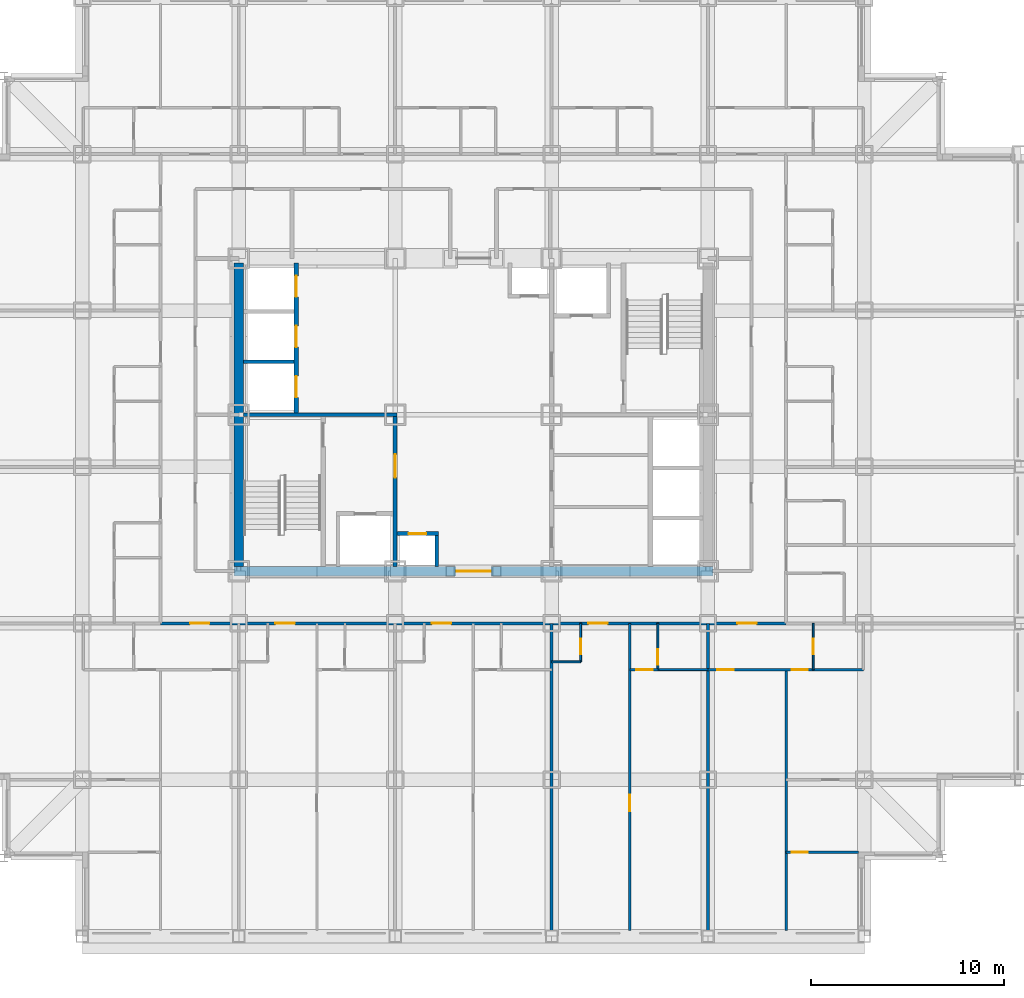
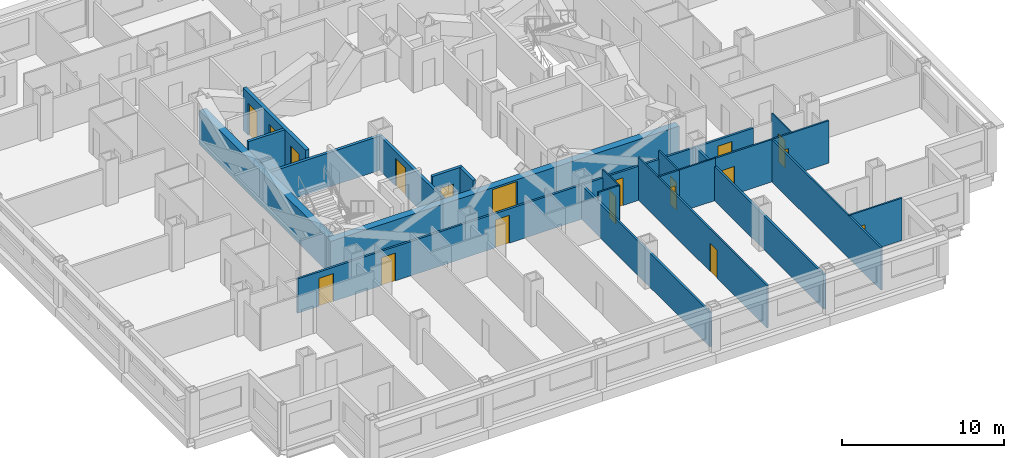
# One storey, part 6 of 12: 21 walls, 19 doors, 19 openings.
"""IFC4 building model written with IfcOpenShell, lengths in metres."""

from ifc_helpers import new_model, si_unit, direction, frame, frame_2d, origin, place, context, subcontext, project, spatial, rectangle, extrude, material, layer, layer_set, type_object, element, fill, save


model = new_model("IFC4")

# Units and contexts
model_context = context("Model", 3, precision=1e-05, world=origin(), true_north=direction((0.0, 1.0)))
body_context = subcontext(model_context, "Body", "Model", "MODEL_VIEW")
ifc_project = project(units=[si_unit("LENGTHUNIT", "METRE"), si_unit("AREAUNIT", "SQUARE_METRE"), si_unit("VOLUMEUNIT", "CUBIC_METRE"), si_unit("PLANEANGLEUNIT", "RADIAN"), si_unit("MASSUNIT", "GRAM", prefix="KILO")], contexts=[model_context])

# Site, building, storey
site_placement = place(None, origin())
site = spatial("IfcSite", under=ifc_project, at=site_placement, CompositionType="ELEMENT")
building_placement = place(site_placement, origin())
building = spatial("IfcBuilding", under=site, at=building_placement, Name="Kopane Lantern Tower", CompositionType="ELEMENT")
storey_placement = place(building_placement, frame((0.0, 0.0, 103.39990234375)))
storey = spatial("IfcBuildingStorey", under=building, at=storey_placement, Name="L25", CompositionType="ELEMENT", Elevation=103.39990234375)

# Wall, opening, door
ifc_material_1 = material(Name="Gypsum board on steel studs", Category="steel")
ifc_layer_1 = layer(ifc_material_1, 0.1201171875)
ifc_layer_set_1 = layer_set([ifc_layer_1], Name="APARTMENT INTERNAL WALL 120")
wall_type_1 = type_object("IfcWallType", Name="APARTMENT INTERNAL WALL 120", PredefinedType="PARTITIONING", material=ifc_layer_set_1)
wall_1_placement = place(storey_placement, frame((36.449951171875, 21.60009765625, 0.0), z_axis=(0.0, 0.0, 1.0), x_axis=(0.0, -1.0, 0.0)))
wall_1 = element("IfcWall", 1, at=wall_1_placement, inside=storey, type_object=wall_type_1, Name="Apartment Internal Wall 120 L25", PredefinedType="PARTITIONING", context=body_context, shape_type="SweptSolid", body=[
    extrude(rectangle(XDim=15.900146484375, YDim=0.1201171875, at=frame_2d((7.9501953125, 0.0))), origin(), (0.0, 0.0, 1.0), 3.190185546875),
])
opening_1_placement = place(wall_1_placement, frame((8.875, 0.0, 0.0)))
opening_1 = element("IfcOpeningElement", 2, at=opening_1_placement, cuts=wall_1, Name="Opening L25-020", PredefinedType="OPENING", context=body_context, shape_type="SweptSolid", body=[
    extrude(rectangle(XDim=0.85009765625, YDim=2.10009765625, at=frame_2d((0.425048828125, 1.050048828125))), frame((0.0, 0.070068359375, 0.0), z_axis=(0.0, -1.0, 0.0), x_axis=(1.0, 0.0, 0.0)), (0.0, 0.0, 1.0), 0.14013671875),
])
ifc_material_2 = material(Name="Timber door set", Category="wood")
door_type_1 = type_object("IfcDoorType", Name="DOOR D4 850x2100", OperationType="SINGLE_SWING_LEFT", PredefinedType="DOOR", material=ifc_material_2)
door_1_placement = place(opening_1_placement, origin())
door_1 = element("IfcDoor", 3, at=door_1_placement, inside=storey, type_object=door_type_1, Name="Door L25-020", OperationType="SINGLE_SWING_LEFT", OverallHeight=2.10009765625, OverallWidth=0.85009765625, PredefinedType="DOOR", context=body_context, shape_type="SweptSolid", body=[
    extrude(rectangle(XDim=0.85009765625, YDim=2.10009765625, at=frame_2d((0.425048828125, 1.050048828125))), frame((0.0, 0.02490234375, 0.0), z_axis=(0.0, -1.0, 0.0), x_axis=(1.0, 0.0, 0.0)), (0.0, 0.0, 1.0), 0.050048828125),
])
fill(opening_1, door_1)

# Wall, openings, doors
wall_2_placement = place(storey_placement, frame((40.5, 19.199951171875, 0.0), z_axis=(0.0, 0.0, 1.0), x_axis=(1.0, 0.0, 0.0)))
wall_2 = element("IfcWall", 4, at=wall_2_placement, inside=storey, type_object=wall_type_1, Name="Apartment Internal Wall 120 L25", PredefinedType="PARTITIONING", context=body_context, shape_type="SweptSolid", body=[
    extrude(rectangle(XDim=8.050048828125, YDim=0.1201171875, at=frame_2d((4.02490234375, 0.0))), origin(), (0.0, 0.0, 1.0), 3.190185546875),
])
opening_2_placement = place(wall_2_placement, frame((0.47509765625, 0.0, 0.0)))
opening_2 = element("IfcOpeningElement", 5, at=opening_2_placement, cuts=wall_2, Name="Opening L25-055", PredefinedType="OPENING", context=body_context, shape_type="SweptSolid", body=[
    extrude(rectangle(XDim=0.85009765625, YDim=2.10009765625, at=frame_2d((0.425048828125, 1.050048828125))), frame((0.0, 0.070068359375, 0.0), z_axis=(0.0, -1.0, 0.0), x_axis=(1.0, 0.0, 0.0)), (0.0, 0.0, 1.0), 0.14013671875),
])
opening_3_placement = place(wall_2_placement, frame((4.324951171875, 0.0, 0.0)))
opening_3 = element("IfcOpeningElement", 6, at=opening_3_placement, cuts=wall_2, Name="Opening L25-057", PredefinedType="OPENING", context=body_context, shape_type="SweptSolid", body=[
    extrude(rectangle(XDim=0.85009765625, YDim=2.10009765625, at=frame_2d((0.425048828125, 1.050048828125))), frame((0.0, 0.070068359375, 0.0), z_axis=(0.0, -1.0, 0.0), x_axis=(1.0, 0.0, 0.0)), (0.0, 0.0, 1.0), 0.14013671875),
])
door_2_placement = place(opening_2_placement, origin())
door_2 = element("IfcDoor", 7, at=door_2_placement, inside=storey, type_object=door_type_1, Name="Door L25-055", OperationType="SINGLE_SWING_LEFT", OverallHeight=2.10009765625, OverallWidth=0.85009765625, PredefinedType="DOOR", context=body_context, shape_type="SweptSolid", body=[
    extrude(rectangle(XDim=0.85009765625, YDim=2.10009765625, at=frame_2d((0.425048828125, 1.050048828125))), frame((0.0, 0.02490234375, 0.0), z_axis=(0.0, -1.0, 0.0), x_axis=(1.0, 0.0, 0.0)), (0.0, 0.0, 1.0), 0.050048828125),
])
fill(opening_2, door_2)
door_3_placement = place(opening_3_placement, origin())
door_3 = element("IfcDoor", 8, at=door_3_placement, inside=storey, type_object=door_type_1, Name="Door L25-057", OperationType="SINGLE_SWING_RIGHT", OverallHeight=2.10009765625, OverallWidth=0.85009765625, PredefinedType="DOOR", context=body_context, shape_type="SweptSolid", body=[
    extrude(rectangle(XDim=0.85009765625, YDim=2.10009765625, at=frame_2d((0.425048828125, 1.050048828125))), frame((0.0, 0.02490234375, 0.0), z_axis=(0.0, -1.0, 0.0), x_axis=(1.0, 0.0, 0.0)), (0.0, 0.0, 1.0), 0.050048828125),
])
fill(opening_3, door_3)

# Wall
wall_3_placement = place(storey_placement, frame((44.550048828125, 19.199951171875, 0.0), z_axis=(0.0, 0.0, 1.0), x_axis=(0.0, -1.0, 0.0)))
element("IfcWall", 9, at=wall_3_placement, inside=storey, type_object=wall_type_1, Name="Apartment Internal Wall 120 L25", PredefinedType="PARTITIONING", context=body_context, shape_type="SweptSolid", body=[
    extrude(rectangle(XDim=13.5, YDim=0.1201171875, at=frame_2d((6.75, 0.0))), origin(), (0.0, 0.0, 1.0), 3.190185546875),
])

# Wall, opening, door
wall_4_placement = place(storey_placement, frame((37.909912109375, 19.199951171875, 0.0), z_axis=(0.0, 0.0, 1.0), x_axis=(-1.0, 0.0, 0.0)))
wall_4 = element("IfcWall", 10, at=wall_4_placement, inside=storey, type_object=wall_type_1, Name="Apartment Internal Wall 120 L25", PredefinedType="PARTITIONING", context=body_context, shape_type="SweptSolid", body=[
    extrude(rectangle(XDim=1.4599609375, YDim=0.1201171875, at=frame_2d((0.72998046875, 0.0))), origin(), (0.0, 0.0, 1.0), 3.190185546875),
])
opening_4_placement = place(wall_4_placement, frame((0.27490234375, 0.0, 0.0)))
opening_4 = element("IfcOpeningElement", 11, at=opening_4_placement, cuts=wall_4, Name="Opening L25-069", PredefinedType="OPENING", context=body_context, shape_type="SweptSolid", body=[
    extrude(rectangle(XDim=0.85009765625, YDim=2.10009765625, at=frame_2d((0.425048828125, 1.050048828125))), frame((0.0, 0.070068359375, 0.0), z_axis=(0.0, -1.0, 0.0), x_axis=(1.0, 0.0, 0.0)), (0.0, 0.0, 1.0), 0.14013671875),
])
door_4_placement = place(opening_4_placement, origin())
door_4 = element("IfcDoor", 12, at=door_4_placement, inside=storey, type_object=door_type_1, Name="Door L25-069", OperationType="SINGLE_SWING_RIGHT", OverallHeight=2.10009765625, OverallWidth=0.85009765625, PredefinedType="DOOR", context=body_context, shape_type="SweptSolid", body=[
    extrude(rectangle(XDim=0.85009765625, YDim=2.10009765625, at=frame_2d((0.425048828125, 1.050048828125))), frame((0.0, 0.02490234375, 0.0), z_axis=(0.0, -1.0, 0.0), x_axis=(1.0, 0.0, 0.0)), (0.0, 0.0, 1.0), 0.050048828125),
])
fill(opening_4, door_4)

wall_5_placement = place(storey_placement, frame((44.550048828125, 9.75, 0.0), z_axis=(0.0, 0.0, 1.0), x_axis=(1.0, 0.0, 0.0)))
wall_5 = element("IfcWall", 13, at=wall_5_placement, inside=storey, type_object=wall_type_1, Name="Apartment Internal Wall 120 L25", PredefinedType="PARTITIONING", context=body_context, shape_type="SweptSolid", body=[
    extrude(rectangle(XDim=3.75, YDim=0.1201171875, at=frame_2d((1.875, 0.0))), origin(), (0.0, 0.0, 1.0), 3.190185546875),
])
opening_5_placement = place(wall_5_placement, frame((0.27490234375, 0.0, 0.0)))
opening_5 = element("IfcOpeningElement", 14, at=opening_5_placement, cuts=wall_5, Name="Opening L25-071", PredefinedType="OPENING", context=body_context, shape_type="SweptSolid", body=[
    extrude(rectangle(XDim=0.85009765625, YDim=2.10009765625, at=frame_2d((0.425048828125, 1.050048828125))), frame((0.0, 0.070068359375, 0.0), z_axis=(0.0, -1.0, 0.0), x_axis=(1.0, 0.0, 0.0)), (0.0, 0.0, 1.0), 0.14013671875),
])
door_5_placement = place(opening_5_placement, origin())
door_5 = element("IfcDoor", 15, at=door_5_placement, inside=storey, type_object=door_type_1, Name="Door L25-071", OperationType="SINGLE_SWING_RIGHT", OverallHeight=2.10009765625, OverallWidth=0.85009765625, PredefinedType="DOOR", context=body_context, shape_type="SweptSolid", body=[
    extrude(rectangle(XDim=0.85009765625, YDim=2.10009765625, at=frame_2d((0.425048828125, 1.050048828125))), frame((0.0, 0.02490234375, 0.0), z_axis=(0.0, -1.0, 0.0), x_axis=(1.0, 0.0, 0.0)), (0.0, 0.0, 1.0), 0.050048828125),
])
fill(opening_5, door_5)

# Wall
ifc_material_3 = material(Name="Moisture-resistant board on steel studs", Category="steel")
ifc_layer_2 = layer(ifc_material_3, 0.10009765625)
ifc_layer_set_2 = layer_set([ifc_layer_2], Name="BATHROOM WALL 100")
wall_type_2 = type_object("IfcWallType", Name="BATHROOM WALL 100", PredefinedType="PARTITIONING", material=ifc_layer_set_2)
wall_6_placement = place(storey_placement, frame((32.39990234375, 19.60009765625, 0.0), z_axis=(0.0, 0.0, 1.0), x_axis=(1.0, 0.0, 0.0)))
element("IfcWall", 16, at=wall_6_placement, inside=storey, type_object=wall_type_2, Name="Bathroom Wall 100 L25", PredefinedType="PARTITIONING", context=body_context, shape_type="SweptSolid", body=[
    extrude(rectangle(XDim=1.5, YDim=0.10009765625, at=frame_2d((0.75, 0.0))), origin(), (0.0, 0.0, 1.0), 3.190185546875),
])

# Wall, opening, door
wall_7_placement = place(storey_placement, frame((33.89990234375, 21.60009765625, 0.0), z_axis=(0.0, 0.0, 1.0), x_axis=(0.0, -1.0, 0.0)))
wall_7 = element("IfcWall", 17, at=wall_7_placement, inside=storey, type_object=wall_type_2, Name="Bathroom Wall 100 L25", PredefinedType="PARTITIONING", context=body_context, shape_type="SweptSolid", body=[
    extrude(rectangle(XDim=2.0, YDim=0.10009765625, at=frame_2d((1.0, 0.0))), origin(), (0.0, 0.0, 1.0), 3.190185546875),
])
opening_6_placement = place(wall_7_placement, frame((0.800048828125, 0.0, 0.0)))
opening_6 = element("IfcOpeningElement", 18, at=opening_6_placement, cuts=wall_7, Name="Opening L25-017", PredefinedType="OPENING", context=body_context, shape_type="SweptSolid", body=[
    extrude(rectangle(XDim=0.800048828125, YDim=2.10009765625, at=frame_2d((0.39990234375, 1.050048828125))), frame((0.0, 0.06005859375, 0.0), z_axis=(0.0, -1.0, 0.0), x_axis=(1.0, 0.0, 0.0)), (0.0, 0.0, 1.0), 0.1201171875),
])
ifc_material_4 = material(Name="Timber door set", Category="wood")
door_type_2 = type_object("IfcDoorType", Name="DOOR D2 800x2100", OperationType="SINGLE_SWING_LEFT", PredefinedType="DOOR", material=ifc_material_4)
door_6_placement = place(opening_6_placement, origin())
door_6 = element("IfcDoor", 19, at=door_6_placement, inside=storey, type_object=door_type_2, Name="Door L25-017", OperationType="SINGLE_SWING_LEFT", OverallHeight=2.10009765625, OverallWidth=0.800048828125, PredefinedType="DOOR", context=body_context, shape_type="SweptSolid", body=[
    extrude(rectangle(XDim=0.800048828125, YDim=2.10009765625, at=frame_2d((0.39990234375, 1.050048828125))), frame((0.0, 0.02490234375, 0.0), z_axis=(0.0, -1.0, 0.0), x_axis=(1.0, 0.0, 0.0)), (0.0, 0.0, 1.0), 0.050048828125),
])
fill(opening_6, door_6)

# Wall
wall_8_placement = place(storey_placement, frame((37.89990234375, 19.199951171875, 0.0), z_axis=(0.0, 0.0, 1.0), x_axis=(1.0, 0.0, 0.0)))
element("IfcWall", 20, at=wall_8_placement, inside=storey, type_object=wall_type_2, Name="Bathroom Wall 100 L25", PredefinedType="PARTITIONING", context=body_context, shape_type="SweptSolid", body=[
    extrude(rectangle(XDim=2.60009765625, YDim=0.10009765625, at=frame_2d((1.300048828125, 0.0))), origin(), (0.0, 0.0, 1.0), 3.190185546875),
])

# Wall, opening, door
wall_9_placement = place(storey_placement, frame((37.89990234375, 21.60009765625, 0.0), z_axis=(0.0, 0.0, 1.0), x_axis=(0.0, -1.0, 0.0)))
wall_9 = element("IfcWall", 21, at=wall_9_placement, inside=storey, type_object=wall_type_2, Name="Bathroom Wall 100 L25", PredefinedType="PARTITIONING", context=body_context, shape_type="SweptSolid", body=[
    extrude(rectangle(XDim=2.400146484375, YDim=0.10009765625, at=frame_2d((1.2001953125, 0.0))), origin(), (0.0, 0.0, 1.0), 3.190185546875),
])
opening_7_placement = place(wall_9_placement, frame((1.35009765625, 0.0, 0.0)))
opening_7 = element("IfcOpeningElement", 22, at=opening_7_placement, cuts=wall_9, Name="Opening L25-019", PredefinedType="OPENING", context=body_context, shape_type="SweptSolid", body=[
    extrude(rectangle(XDim=0.800048828125, YDim=2.10009765625, at=frame_2d((0.39990234375, 1.050048828125))), frame((0.0, 0.06005859375, 0.0), z_axis=(0.0, -1.0, 0.0), x_axis=(1.0, 0.0, 0.0)), (0.0, 0.0, 1.0), 0.1201171875),
])
door_7_placement = place(opening_7_placement, origin())
door_7 = element("IfcDoor", 23, at=door_7_placement, inside=storey, type_object=door_type_2, Name="Door L25-019", OperationType="SINGLE_SWING_LEFT", OverallHeight=2.10009765625, OverallWidth=0.800048828125, PredefinedType="DOOR", context=body_context, shape_type="SweptSolid", body=[
    extrude(rectangle(XDim=0.800048828125, YDim=2.10009765625, at=frame_2d((0.39990234375, 1.050048828125))), frame((0.0, 0.02490234375, 0.0), z_axis=(0.0, -1.0, 0.0), x_axis=(1.0, 0.0, 0.0)), (0.0, 0.0, 1.0), 0.050048828125),
])
fill(opening_7, door_7)

wall_10_placement = place(storey_placement, frame((45.949951171875, 21.60009765625, 0.0), z_axis=(0.0, 0.0, 1.0), x_axis=(0.0, -1.0, 0.0)))
wall_10 = element("IfcWall", 24, at=wall_10_placement, inside=storey, type_object=wall_type_2, Name="Bathroom Wall 100 L25", PredefinedType="PARTITIONING", context=body_context, shape_type="SweptSolid", body=[
    extrude(rectangle(XDim=2.400146484375, YDim=0.10009765625, at=frame_2d((1.2001953125, 0.0))), origin(), (0.0, 0.0, 1.0), 3.190185546875),
])
opening_8_placement = place(wall_10_placement, frame((0.800048828125, 0.0, 0.0)))
opening_8 = element("IfcOpeningElement", 25, at=opening_8_placement, cuts=wall_10, Name="Opening L25-056", PredefinedType="OPENING", context=body_context, shape_type="SweptSolid", body=[
    extrude(rectangle(XDim=0.800048828125, YDim=2.10009765625, at=frame_2d((0.39990234375, 1.050048828125))), frame((0.0, 0.06005859375, 0.0), z_axis=(0.0, -1.0, 0.0), x_axis=(1.0, 0.0, 0.0)), (0.0, 0.0, 1.0), 0.1201171875),
])
door_8_placement = place(opening_8_placement, origin())
door_8 = element("IfcDoor", 26, at=door_8_placement, inside=storey, type_object=door_type_2, Name="Door L25-056", OperationType="SINGLE_SWING_LEFT", OverallHeight=2.10009765625, OverallWidth=0.800048828125, PredefinedType="DOOR", context=body_context, shape_type="SweptSolid", body=[
    extrude(rectangle(XDim=0.800048828125, YDim=2.10009765625, at=frame_2d((0.39990234375, 1.050048828125))), frame((0.0, 0.02490234375, 0.0), z_axis=(0.0, -1.0, 0.0), x_axis=(1.0, 0.0, 0.0)), (0.0, 0.0, 1.0), 0.050048828125),
])
fill(opening_8, door_8)

ifc_material_5 = material(Name="Gypsum shaft wall EI 120", Category="gypsum")
ifc_layer_3 = layer(ifc_material_5, 0.5)
ifc_layer_set_3 = layer_set([ifc_layer_3], Name="CORE PERIMETER WALL 500 EI 120")
wall_type_3 = type_object("IfcWallType", Name="CORE PERIMETER WALL 500 EI 120", PredefinedType="SOLIDWALL", material=ifc_layer_set_3)
wall_11_placement = place(storey_placement, frame((15.949951171875, 24.300048828125, 0.0), z_axis=(0.0, 0.0, 1.0), x_axis=(1.0, 0.0, 0.0)))
wall_11 = element("IfcWall", 27, at=wall_11_placement, inside=storey, type_object=wall_type_3, Name="Core shaft wall L25 PS", PredefinedType="SOLIDWALL", context=body_context, shape_type="SweptSolid", body=[
    extrude(rectangle(XDim=24.800048828125, YDim=0.5, at=frame_2d((12.39990234375, 0.0))), origin(), (0.0, 0.0, 1.0), 2.5400390625),
])
opening_9_placement = place(wall_11_placement, frame((11.5, 0.0, 0.0)))
opening_9 = element("IfcOpeningElement", 28, at=opening_9_placement, cuts=wall_11, Name="Opening 25.CE-S", PredefinedType="OPENING", context=body_context, shape_type="SweptSolid", body=[
    extrude(rectangle(XDim=1.800048828125, YDim=2.39990234375, at=frame_2d((0.89990234375, 1.199951171875))), frame((0.0, 0.260009765625, 0.0), z_axis=(0.0, -1.0, 0.0), x_axis=(1.0, 0.0, 0.0)), (0.0, 0.0, 1.0), 0.52001953125),
])
ifc_material_6 = material(Name="Steel door set", Category="steel")
door_type_3 = type_object("IfcDoorType", Name="CORE ENTRY DOOR 1800x2400 FD60S", OperationType="DOUBLE_DOOR_SINGLE_SWING", PredefinedType="DOOR", material=ifc_material_6)
door_9_placement = place(opening_9_placement, origin())
door_9 = element("IfcDoor", 29, at=door_9_placement, inside=storey, type_object=door_type_3, Name="Core entry door L25 south", OperationType="DOUBLE_DOOR_SINGLE_SWING", OverallHeight=2.39990234375, OverallWidth=1.800048828125, PredefinedType="DOOR", context=body_context, shape_type="SweptSolid", body=[
    extrude(rectangle(XDim=1.800048828125, YDim=2.39990234375, at=frame_2d((0.89990234375, 1.199951171875))), frame((0.0, 0.02490234375, 0.0), z_axis=(0.0, -1.0, 0.0), x_axis=(1.0, 0.0, 0.0)), (0.0, 0.0, 1.0), 0.050048828125),
])
fill(opening_9, door_9)

# Wall
wall_12_placement = place(storey_placement, frame((16.199951171875, 24.550048828125, 0.0), z_axis=(0.0, 0.0, 1.0), x_axis=(0.0, 1.0, 0.0)))
element("IfcWall", 30, at=wall_12_placement, inside=storey, type_object=wall_type_3, Name="Core shaft wall L25 PW", PredefinedType="SOLIDWALL", context=body_context, shape_type="SweptSolid", body=[
    extrude(rectangle(XDim=15.699951171875, YDim=0.5, at=frame_2d((7.85009765625, 0.0))), origin(), (0.0, 0.0, 1.0), 2.577880859375),
])

# Wall, openings, doors
ifc_material_7 = material(Name="Gypsum shaft wall EI 120", Category="gypsum")
ifc_layer_4 = layer(ifc_material_7, 0.25)
ifc_layer_set_4 = layer_set([ifc_layer_4], Name="CORE SHAFT WALL 250 EI 120")
wall_type_4 = type_object("IfcWallType", Name="CORE SHAFT WALL 250 EI 120", PredefinedType="SOLIDWALL", material=ifc_layer_set_4)
wall_13_placement = place(storey_placement, frame((19.175048828125, 32.5, 0.0), z_axis=(0.0, 0.0, 1.0), x_axis=(0.0, 1.0, 0.0)))
wall_13 = element("IfcWall", 31, at=wall_13_placement, inside=storey, type_object=wall_type_4, Name="Core shaft wall L25 XLH", PredefinedType="SOLIDWALL", context=body_context, shape_type="SweptSolid", body=[
    extrude(rectangle(XDim=7.75, YDim=0.25, at=frame_2d((3.875, 0.0))), origin(), (0.0, 0.0, 1.0), 3.190185546875),
])
opening_10_placement = place(wall_13_placement, frame((0.800048828125, 0.0, 0.0)))
opening_10 = element("IfcOpeningElement", 32, at=opening_10_placement, cuts=wall_13, Name="Opening 25.LD-LH1", PredefinedType="OPENING", context=body_context, shape_type="SweptSolid", body=[
    extrude(rectangle(XDim=1.10009765625, YDim=2.39990234375, at=frame_2d((0.550048828125, 1.199951171875))), frame((0.0, 0.135009765625, 0.0), z_axis=(0.0, -1.0, 0.0), x_axis=(1.0, 0.0, 0.0)), (0.0, 0.0, 1.0), 0.27001953125),
])
opening_11_placement = place(wall_13_placement, frame((3.39990234375, 0.0, 0.0)))
opening_11 = element("IfcOpeningElement", 33, at=opening_11_placement, cuts=wall_13, Name="Opening 25.LD-LH2", PredefinedType="OPENING", context=body_context, shape_type="SweptSolid", body=[
    extrude(rectangle(XDim=1.10009765625, YDim=2.39990234375, at=frame_2d((0.550048828125, 1.199951171875))), frame((0.0, 0.135009765625, 0.0), z_axis=(0.0, -1.0, 0.0), x_axis=(1.0, 0.0, 0.0)), (0.0, 0.0, 1.0), 0.27001953125),
])
opening_12_placement = place(wall_13_placement, frame((6.0, 0.0, 0.0)))
opening_12 = element("IfcOpeningElement", 34, at=opening_12_placement, cuts=wall_13, Name="Opening 25.LD-LH3", PredefinedType="OPENING", context=body_context, shape_type="SweptSolid", body=[
    extrude(rectangle(XDim=1.10009765625, YDim=2.39990234375, at=frame_2d((0.550048828125, 1.199951171875))), frame((0.0, 0.135009765625, 0.0), z_axis=(0.0, -1.0, 0.0), x_axis=(1.0, 0.0, 0.0)), (0.0, 0.0, 1.0), 0.27001953125),
])
ifc_material_8 = material(Name="Steel door set", Category="steel")
door_type_4 = type_object("IfcDoorType", Name="LIFT LANDING DOOR 1100x2400 FD60", OperationType="DOUBLE_DOOR_SLIDING", PredefinedType="DOOR", material=ifc_material_8)
door_10_placement = place(opening_10_placement, origin())
door_10 = element("IfcDoor", 35, at=door_10_placement, inside=storey, type_object=door_type_4, Name="Landing door LH1 L25", OperationType="DOUBLE_DOOR_SLIDING", OverallHeight=2.39990234375, OverallWidth=1.10009765625, PredefinedType="DOOR", context=body_context, shape_type="SweptSolid", body=[
    extrude(rectangle(XDim=1.10009765625, YDim=2.39990234375, at=frame_2d((0.550048828125, 1.199951171875))), frame((0.0, 0.02490234375, 0.0), z_axis=(0.0, -1.0, 0.0), x_axis=(1.0, 0.0, 0.0)), (0.0, 0.0, 1.0), 0.050048828125),
])
fill(opening_10, door_10)
door_11_placement = place(opening_11_placement, origin())
door_11 = element("IfcDoor", 36, at=door_11_placement, inside=storey, type_object=door_type_4, Name="Landing door LH2 L25", OperationType="DOUBLE_DOOR_SLIDING", OverallHeight=2.39990234375, OverallWidth=1.10009765625, PredefinedType="DOOR", context=body_context, shape_type="SweptSolid", body=[
    extrude(rectangle(XDim=1.10009765625, YDim=2.39990234375, at=frame_2d((0.550048828125, 1.199951171875))), frame((0.0, 0.02490234375, 0.0), z_axis=(0.0, -1.0, 0.0), x_axis=(1.0, 0.0, 0.0)), (0.0, 0.0, 1.0), 0.050048828125),
])
fill(opening_11, door_11)
door_12_placement = place(opening_12_placement, origin())
door_12 = element("IfcDoor", 37, at=door_12_placement, inside=storey, type_object=door_type_4, Name="Landing door LH3 L25", OperationType="DOUBLE_DOOR_SLIDING", OverallHeight=2.39990234375, OverallWidth=1.10009765625, PredefinedType="DOOR", context=body_context, shape_type="SweptSolid", body=[
    extrude(rectangle(XDim=1.10009765625, YDim=2.39990234375, at=frame_2d((0.550048828125, 1.199951171875))), frame((0.0, 0.02490234375, 0.0), z_axis=(0.0, -1.0, 0.0), x_axis=(1.0, 0.0, 0.0)), (0.0, 0.0, 1.0), 0.050048828125),
])
fill(opening_12, door_12)

ifc_material_9 = material(Name="Gypsum board on steel studs", Category="steel")
ifc_layer_5 = layer(ifc_material_9, 0.14990234375)
ifc_layer_set_5 = layer_set([ifc_layer_5], Name="CORRIDOR WALL 150 EI 60")
wall_type_5 = type_object("IfcWallType", Name="CORRIDOR WALL 150 EI 60", PredefinedType="PARTITIONING", material=ifc_layer_set_5)
wall_14_placement = place(storey_placement, frame((12.14990234375, 21.60009765625, 0.0), z_axis=(0.0, 0.0, 1.0), x_axis=(1.0, 0.0, 0.0)))
wall_14 = element("IfcWall", 38, at=wall_14_placement, inside=storey, type_object=wall_type_5, Name="Corridor Wall 150 Ei 60 L25", PredefinedType="PARTITIONING", context=body_context, shape_type="SweptSolid", body=[
    extrude(rectangle(XDim=32.400146484375, YDim=0.14990234375, at=frame_2d((16.2001953125, 0.0))), origin(), (0.0, 0.0, 1.0), 2.577880859375),
])
opening_13_placement = place(wall_14_placement, frame((5.949951171875, 0.0, 0.0)))
opening_13 = element("IfcOpeningElement", 39, at=opening_13_placement, cuts=wall_14, Name="Opening L25-010", PredefinedType="OPENING", context=body_context, shape_type="SweptSolid", body=[
    extrude(rectangle(XDim=1.0, YDim=2.10009765625, at=frame_2d((0.5, 1.050048828125))), frame((0.0, 0.0849609375, 0.0), z_axis=(0.0, -1.0, 0.0), x_axis=(1.0, 0.0, 0.0)), (0.0, 0.0, 1.0), 0.169921875),
])
opening_14_placement = place(wall_14_placement, frame((14.050048828125, 0.0, 0.0)))
opening_14 = element("IfcOpeningElement", 40, at=opening_14_placement, cuts=wall_14, Name="Opening L25-014", PredefinedType="OPENING", context=body_context, shape_type="SweptSolid", body=[
    extrude(rectangle(XDim=1.0, YDim=2.10009765625, at=frame_2d((0.5, 1.050048828125))), frame((0.0, 0.0849609375, 0.0), z_axis=(0.0, -1.0, 0.0), x_axis=(1.0, 0.0, 0.0)), (0.0, 0.0, 1.0), 0.169921875),
])
opening_15_placement = place(wall_14_placement, frame((22.14990234375, 0.0, 0.0)))
opening_15 = element("IfcOpeningElement", 41, at=opening_15_placement, cuts=wall_14, Name="Opening L25-018", PredefinedType="OPENING", context=body_context, shape_type="SweptSolid", body=[
    extrude(rectangle(XDim=1.0, YDim=2.10009765625, at=frame_2d((0.5, 1.050048828125))), frame((0.0, 0.0849609375, 0.0), z_axis=(0.0, -1.0, 0.0), x_axis=(1.0, 0.0, 0.0)), (0.0, 0.0, 1.0), 0.169921875),
])
opening_16_placement = place(wall_14_placement, frame((1.52490234375, 0.0, 0.0)))
opening_16 = element("IfcOpeningElement", 42, at=opening_16_placement, cuts=wall_14, Name="Opening L25-049", PredefinedType="OPENING", context=body_context, shape_type="SweptSolid", body=[
    extrude(rectangle(XDim=1.0, YDim=2.10009765625, at=frame_2d((0.5, 1.050048828125))), frame((0.0, 0.0849609375, 0.0), z_axis=(0.0, -1.0, 0.0), x_axis=(1.0, 0.0, 0.0)), (0.0, 0.0, 1.0), 0.169921875),
])
opening_17_placement = place(wall_14_placement, frame((29.875, 0.0, 0.0)))
opening_17 = element("IfcOpeningElement", 43, at=opening_17_placement, cuts=wall_14, Name="Opening L25-054", PredefinedType="OPENING", context=body_context, shape_type="SweptSolid", body=[
    extrude(rectangle(XDim=1.0, YDim=2.10009765625, at=frame_2d((0.5, 1.050048828125))), frame((0.0, 0.0849609375, 0.0), z_axis=(0.0, -1.0, 0.0), x_axis=(1.0, 0.0, 0.0)), (0.0, 0.0, 1.0), 0.169921875),
])
ifc_material_10 = material(Name="Steel door set", Category="steel")
door_type_5 = type_object("IfcDoorType", Name="DOOR D1 1000x2100 FD30S", OperationType="SINGLE_SWING_LEFT", PredefinedType="DOOR", material=ifc_material_10)
door_13_placement = place(opening_13_placement, origin())
door_13 = element("IfcDoor", 44, at=door_13_placement, inside=storey, type_object=door_type_5, Name="Door L25-010", OperationType="SINGLE_SWING_RIGHT", OverallHeight=2.10009765625, OverallWidth=1.0, PredefinedType="DOOR", context=body_context, shape_type="SweptSolid", body=[
    extrude(rectangle(XDim=1.0, YDim=2.10009765625, at=frame_2d((0.5, 1.050048828125))), frame((0.0, 0.02490234375, 0.0), z_axis=(0.0, -1.0, 0.0), x_axis=(1.0, 0.0, 0.0)), (0.0, 0.0, 1.0), 0.050048828125),
])
fill(opening_13, door_13)
door_14_placement = place(opening_14_placement, origin())
door_14 = element("IfcDoor", 45, at=door_14_placement, inside=storey, type_object=door_type_5, Name="Door L25-014", OperationType="SINGLE_SWING_RIGHT", OverallHeight=2.10009765625, OverallWidth=1.0, PredefinedType="DOOR", context=body_context, shape_type="SweptSolid", body=[
    extrude(rectangle(XDim=1.0, YDim=2.10009765625, at=frame_2d((0.5, 1.050048828125))), frame((0.0, 0.02490234375, 0.0), z_axis=(0.0, -1.0, 0.0), x_axis=(1.0, 0.0, 0.0)), (0.0, 0.0, 1.0), 0.050048828125),
])
fill(opening_14, door_14)
door_15_placement = place(opening_15_placement, origin())
door_15 = element("IfcDoor", 46, at=door_15_placement, inside=storey, type_object=door_type_5, Name="Door L25-018", OperationType="SINGLE_SWING_RIGHT", OverallHeight=2.10009765625, OverallWidth=1.0, PredefinedType="DOOR", context=body_context, shape_type="SweptSolid", body=[
    extrude(rectangle(XDim=1.0, YDim=2.10009765625, at=frame_2d((0.5, 1.050048828125))), frame((0.0, 0.02490234375, 0.0), z_axis=(0.0, -1.0, 0.0), x_axis=(1.0, 0.0, 0.0)), (0.0, 0.0, 1.0), 0.050048828125),
])
fill(opening_15, door_15)
door_16_placement = place(opening_16_placement, origin())
door_16 = element("IfcDoor", 47, at=door_16_placement, inside=storey, type_object=door_type_5, Name="Door L25-049", OperationType="SINGLE_SWING_LEFT", OverallHeight=2.10009765625, OverallWidth=1.0, PredefinedType="DOOR", context=body_context, shape_type="SweptSolid", body=[
    extrude(rectangle(XDim=1.0, YDim=2.10009765625, at=frame_2d((0.5, 1.050048828125))), frame((0.0, 0.02490234375, 0.0), z_axis=(0.0, -1.0, 0.0), x_axis=(1.0, 0.0, 0.0)), (0.0, 0.0, 1.0), 0.050048828125),
])
fill(opening_16, door_16)
door_17_placement = place(opening_17_placement, origin())
door_17 = element("IfcDoor", 48, at=door_17_placement, inside=storey, type_object=door_type_5, Name="Door L25-054", OperationType="SINGLE_SWING_RIGHT", OverallHeight=2.10009765625, OverallWidth=1.0, PredefinedType="DOOR", context=body_context, shape_type="SweptSolid", body=[
    extrude(rectangle(XDim=1.0, YDim=2.10009765625, at=frame_2d((0.5, 1.050048828125))), frame((0.0, 0.02490234375, 0.0), z_axis=(0.0, -1.0, 0.0), x_axis=(1.0, 0.0, 0.0)), (0.0, 0.0, 1.0), 0.050048828125),
])
fill(opening_17, door_17)

# Walls
ifc_material_11 = material(Name="Gypsum board on steel studs", Category="steel")
ifc_layer_6 = layer(ifc_material_11, 0.14990234375)
ifc_layer_set_6 = layer_set([ifc_layer_6], Name="DEMISING WALL 150 EI 60")
wall_type_6 = type_object("IfcWallType", Name="DEMISING WALL 150 EI 60", PredefinedType="PARTITIONING", material=ifc_layer_set_6)
for number, where, z_axis, x_axis, name in (
    (49, (32.39990234375, 21.60009765625, 0.0), (0.0, 0.0, 1.0), (0.0, -1.0, 0.0), "Demising Wall 150 Ei 60 L25"),
    (50, (40.5, 21.60009765625, 0.0), (0.0, 0.0, 1.0), (0.0, -1.0, 0.0), "Demising Wall 150 Ei 60 L25"),
):
    element("IfcWall", number, at=place(storey_placement, frame(where, z_axis=z_axis, x_axis=x_axis)), inside=storey, type_object=wall_type_6, Name=name, PredefinedType="PARTITIONING", context=body_context, shape_type="SweptSolid", body=[
        extrude(rectangle(XDim=15.900146484375, YDim=0.14990234375, at=frame_2d((7.9501953125, 0.0))), origin(), (0.0, 0.0, 1.0), 2.577880859375),
    ])
ifc_material_12 = material(Name="Gypsum shaft wall EI 120", Category="gypsum")
ifc_layer_7 = layer(ifc_material_12, 0.199951171875)
ifc_layer_set_7 = layer_set([ifc_layer_7], Name="SHAFT WALL 200 EI 120")
wall_type_7 = type_object("IfcWallType", Name="SHAFT WALL 200 EI 120", PredefinedType="SOLIDWALL", material=ifc_layer_set_7)
wall_15_placement = place(storey_placement, frame((16.449951171875, 32.39990234375, 0.0), z_axis=(0.0, 0.0, 1.0), x_axis=(1.0, 0.0, 0.0)))
element("IfcWall", 51, at=wall_15_placement, inside=storey, type_object=wall_type_7, Name="Core shaft wall L25 Y324W", PredefinedType="SOLIDWALL", context=body_context, shape_type="SweptSolid", body=[
    extrude(rectangle(XDim=7.949951171875, YDim=0.199951171875, at=frame_2d((3.97509765625, 0.0))), origin(), (0.0, 0.0, 1.0), 2.577880859375),
])

# Wall, opening, door
wall_16_placement = place(storey_placement, frame((24.300048828125, 24.550048828125, 0.0), z_axis=(0.0, 0.0, 1.0), x_axis=(0.0, 1.0, 0.0)))
wall_16 = element("IfcWall", 52, at=wall_16_placement, inside=storey, type_object=wall_type_7, Name="Core shaft wall L25 X243", PredefinedType="SOLIDWALL", context=body_context, shape_type="SweptSolid", body=[
    extrude(rectangle(XDim=7.75, YDim=0.199951171875, at=frame_2d((3.875, 0.0))), origin(), (0.0, 0.0, 1.0), 2.577880859375),
])
opening_18_placement = place(wall_16_placement, frame((4.60009765625, 0.0, 0.0)))
opening_18 = element("IfcOpeningElement", 53, at=opening_18_placement, cuts=wall_16, Name="Opening 25.FL1", PredefinedType="OPENING", context=body_context, shape_type="SweptSolid", body=[
    extrude(rectangle(XDim=1.199951171875, YDim=2.10009765625, at=frame_2d((0.60009765625, 1.050048828125))), frame((0.0, 0.10986328125, 0.0), z_axis=(0.0, -1.0, 0.0), x_axis=(1.0, 0.0, 0.0)), (0.0, 0.0, 1.0), 0.219970703125),
])
ifc_material_13 = material(Name="Steel door set", Category="steel")
door_type_6 = type_object("IfcDoorType", Name="FIREFIGHTING LOBBY DOOR 1200x2100 FD60S", OperationType="SINGLE_SWING_RIGHT", PredefinedType="DOOR", material=ifc_material_13)
door_18_placement = place(opening_18_placement, origin())
door_18 = element("IfcDoor", 54, at=door_18_placement, inside=storey, type_object=door_type_6, Name="Firefighting lobby door FL1 L25", OperationType="SINGLE_SWING_LEFT", OverallHeight=2.10009765625, OverallWidth=1.199951171875, PredefinedType="DOOR", context=body_context, shape_type="SweptSolid", body=[
    extrude(rectangle(XDim=1.199951171875, YDim=2.10009765625, at=frame_2d((0.60009765625, 1.050048828125))), frame((0.0, 0.02490234375, 0.0), z_axis=(0.0, -1.0, 0.0), x_axis=(1.0, 0.0, 0.0)), (0.0, 0.0, 1.0), 0.050048828125),
])
fill(opening_18, door_18)

# Walls
wall_17_placement = place(storey_placement, frame((16.449951171875, 35.14990234375, 0.0), z_axis=(0.0, 0.0, 1.0), x_axis=(1.0, 0.0, 0.0)))
element("IfcWall", 55, at=wall_17_placement, inside=storey, type_object=wall_type_7, Name="Core shaft wall L25 YLH12", PredefinedType="SOLIDWALL", context=body_context, shape_type="SweptSolid", body=[
    extrude(rectangle(XDim=2.60009765625, YDim=0.199951171875, at=frame_2d((1.300048828125, 0.0))), origin(), (0.0, 0.0, 1.0), 3.190185546875),
])
wall_18_placement = place(storey_placement, frame((26.449951171875, 24.550048828125, 0.0), z_axis=(0.0, 0.0, 1.0), x_axis=(0.0, 1.0, 0.0)))
element("IfcWall", 56, at=wall_18_placement, inside=storey, type_object=wall_type_7, Name="Core shaft wall L25 XRS1", PredefinedType="SOLIDWALL", context=body_context, shape_type="SweptSolid", body=[
    extrude(rectangle(XDim=1.599853515625, YDim=0.199951171875, at=frame_2d((0.7998046875, 0.0))), origin(), (0.0, 0.0, 1.0), 3.190185546875),
])

# Wall, opening, door
wall_19_placement = place(storey_placement, frame((24.39990234375, 26.25, 0.0), z_axis=(0.0, 0.0, 1.0), x_axis=(1.0, 0.0, 0.0)))
wall_19 = element("IfcWall", 57, at=wall_19_placement, inside=storey, type_object=wall_type_7, Name="Core shaft wall L25 YRS1", PredefinedType="SOLIDWALL", context=body_context, shape_type="SweptSolid", body=[
    extrude(rectangle(XDim=2.150146484375, YDim=0.199951171875, at=frame_2d((1.0751953125, 0.0))), origin(), (0.0, 0.0, 1.0), 3.190185546875),
])
opening_19_placement = place(wall_19_placement, frame((0.60009765625, 0.0, 0.0)))
opening_19 = element("IfcOpeningElement", 58, at=opening_19_placement, cuts=wall_19, Name="Opening 25.RS1", PredefinedType="OPENING", context=body_context, shape_type="SweptSolid", body=[
    extrude(rectangle(XDim=0.89990234375, YDim=2.10009765625, at=frame_2d((0.449951171875, 1.050048828125))), frame((0.0, 0.10986328125, 0.0), z_axis=(0.0, -1.0, 0.0), x_axis=(1.0, 0.0, 0.0)), (0.0, 0.0, 1.0), 0.219970703125),
])
ifc_material_14 = material(Name="Steel door set", Category="steel")
door_type_7 = type_object("IfcDoorType", Name="RISER ACCESS DOOR 900x2100 FD60", OperationType="SINGLE_SWING_LEFT", PredefinedType="DOOR", material=ifc_material_14)
door_19_placement = place(opening_19_placement, origin())
door_19 = element("IfcDoor", 59, at=door_19_placement, inside=storey, type_object=door_type_7, Name="Riser access door RS1 L25", OperationType="SINGLE_SWING_LEFT", OverallHeight=2.10009765625, OverallWidth=0.89990234375, PredefinedType="DOOR", context=body_context, shape_type="SweptSolid", body=[
    extrude(rectangle(XDim=0.89990234375, YDim=2.10009765625, at=frame_2d((0.449951171875, 1.050048828125))), frame((0.0, 0.02490234375, 0.0), z_axis=(0.0, -1.0, 0.0), x_axis=(1.0, 0.0, 0.0)), (0.0, 0.0, 1.0), 0.050048828125),
])
fill(opening_19, door_19)

save(model, "model.ifc")
